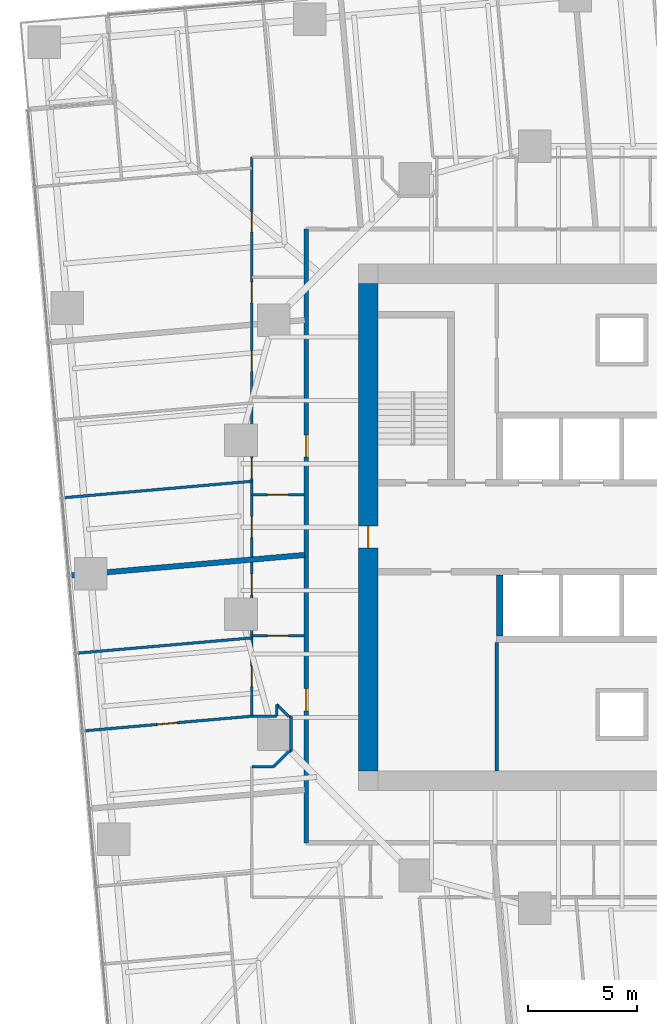
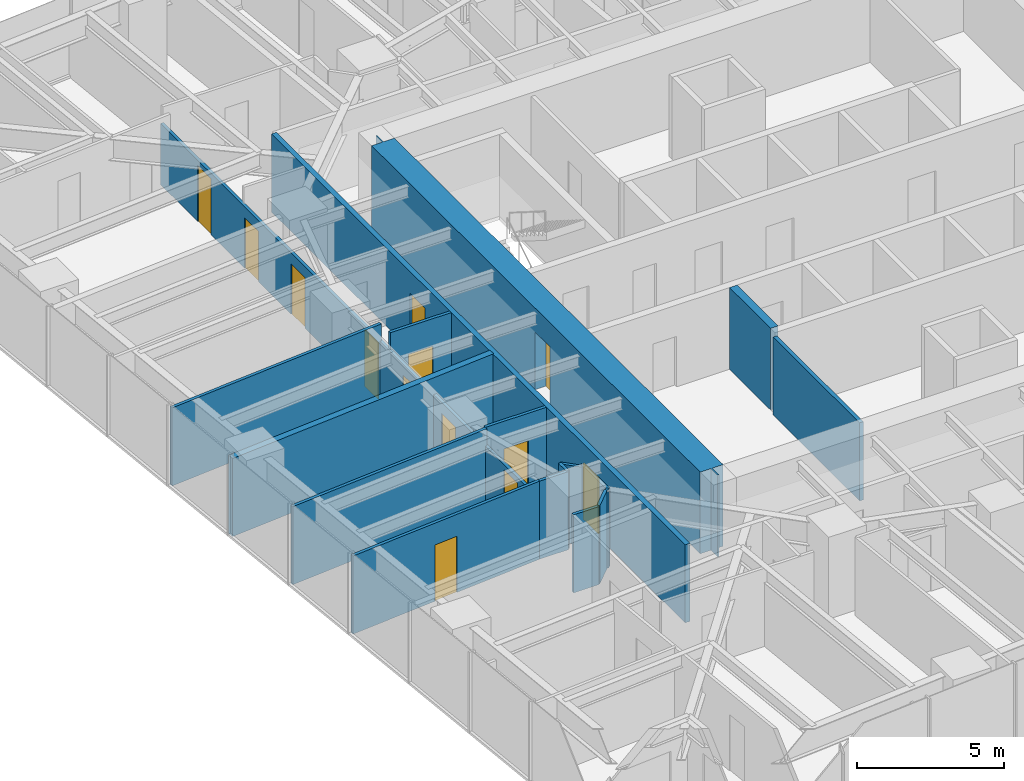
# One storey, part 9 of 14: 19 walls, 13 doors, 13 openings.
"""IFC4 building model written with IfcOpenShell, lengths in metres."""

from ifc_helpers import new_model, si_unit, direction, frame, frame_2d, origin, place, context, subcontext, project, spatial, polyline, rectangle, outline, extrude, material, layer, layer_set, type_object, element, fill, save


model = new_model("IFC4")

# Units and contexts
model_context = context("Model", 3, precision=1e-05, world=origin(), true_north=direction((0.0, 1.0)))
body_context = subcontext(model_context, "Body", "Model", "MODEL_VIEW")
ifc_project = project(units=[si_unit("LENGTHUNIT", "METRE"), si_unit("AREAUNIT", "SQUARE_METRE"), si_unit("VOLUMEUNIT", "CUBIC_METRE"), si_unit("PLANEANGLEUNIT", "RADIAN"), si_unit("MASSUNIT", "GRAM", prefix="KILO")], contexts=[model_context])

# Site, building, storey
site_placement = place(None, origin())
site = spatial("IfcSite", under=ifc_project, at=site_placement, CompositionType="ELEMENT")
building_placement = place(site_placement, origin())
building = spatial("IfcBuilding", under=site, at=building_placement, Name="Torsade Residences", CompositionType="ELEMENT")
storey_placement = place(building_placement, frame((0.0, 0.0, 47.199951171875)))
storey = spatial("IfcBuildingStorey", under=building, at=storey_placement, Name="L12", CompositionType="ELEMENT", Elevation=47.199951171875)

# Wall
ifc_material_1 = material(Name="Concrete 80 MPa", Category="concrete")
ifc_layer_1 = layer(ifc_material_1, 0.300048828125)
ifc_layer_set_1 = layer_set([ifc_layer_1], Name="Concrete 80 MPa")
wall_type_1 = type_object("IfcWallType", Name="CORE INTERNAL WALL 300", PredefinedType="SHEAR", material=ifc_layer_set_1)
wall_1_placement = place(storey_placement, frame((34.39990234375, 27.800048828125, 0.0), z_axis=(0.0, 0.0, 1.0), x_axis=(0.0, -1.0, 0.0)))
element("IfcWall", 1, at=wall_1_placement, inside=storey, type_object=wall_type_1, Name="Core wall DS4 L12", PredefinedType="SHEAR", context=body_context, shape_type="SweptSolid", body=[
    extrude(rectangle(XDim=2.800048828125, YDim=0.300048828125, at=frame_2d((1.39990234375, 0.0))), origin(), (0.0, 0.0, 1.0), 3.400146484375),
])

# Wall, opening, door
ifc_material_2 = material(Name="Concrete 80 MPa", Category="concrete")
ifc_layer_2 = layer(ifc_material_2, 0.89990234375)
ifc_layer_set_2 = layer_set([ifc_layer_2], Name="Concrete 80 MPa")
wall_type_2 = type_object("IfcWallType", Name="CORE WALL 900", PredefinedType="SHEAR", material=ifc_layer_set_2)
wall_2_placement = place(storey_placement, frame((28.35009765625, 41.199951171875, 0.0), z_axis=(0.0, 0.0, 1.0), x_axis=(0.0, -1.0, 0.0)))
wall_2 = element("IfcWall", 2, at=wall_2_placement, inside=storey, type_object=wall_type_2, Name="Core wall W L12", PredefinedType="SHEAR", context=body_context, shape_type="SweptSolid", body=[
    extrude(outline(polyline([(0.0, -0.449951171875), (22.39990234375, -0.449951171875), (22.39990234375, -0.02490234375), (22.849853515625, -0.02490234375), (22.849853515625, 0.02490234375), (22.39990234375, 0.02490234375), (22.39990234375, 0.449951171875), (0.0, 0.449951171875), (0.0, 0.02490234375), (-0.449951171875, 0.02490234375), (-0.449951171875, -0.02490234375), (0.0, -0.02490234375), (0.0, -0.449951171875)])), origin(), (0.0, 0.0, 1.0), 3.400146484375),
])
opening_1_placement = place(wall_2_placement, frame((11.139892578125, 0.0, 0.0)))
opening_1 = element("IfcOpeningElement", 3, at=opening_1_placement, cuts=wall_2, Name="Opening D04", PredefinedType="OPENING", context=body_context, shape_type="SweptSolid", body=[
    extrude(rectangle(XDim=1.02001953125, YDim=2.39990234375, at=frame_2d((0.510009765625, 1.199951171875))), frame((0.0, 0.4599609375, 0.0), z_axis=(0.0, -1.0, 0.0), x_axis=(1.0, 0.0, 0.0)), (0.0, 0.0, 1.0), 0.919921875),
])
ifc_material_3 = material(Name="Steel-framed fire door", Category="steel")
door_type_1 = type_object("IfcDoorType", Name="LOBBY SMOKE DOOR 1020x2400", OperationType="NOTDEFINED", PredefinedType="DOOR", material=ifc_material_3)
door_1_placement = place(opening_1_placement, origin())
door_1 = element("IfcDoor", 4, at=door_1_placement, inside=storey, type_object=door_type_1, Name="Lift lobby door W L12", OperationType="SINGLE_SWING_RIGHT", OverallHeight=2.39990234375, OverallWidth=1.02001953125, PredefinedType="DOOR", context=body_context, shape_type="SweptSolid", body=[
    extrude(rectangle(XDim=1.02001953125, YDim=2.39990234375, at=frame_2d((0.510009765625, 1.199951171875))), frame((0.0, 0.02490234375, 0.0), z_axis=(0.0, -1.0, 0.0), x_axis=(1.0, 0.0, 0.0)), (0.0, 0.0, 1.0), 0.050048828125),
])
fill(opening_1, door_1)

# Wall, openings, doors
ifc_material_4 = material(Name="Plasterboard on steel stud", Category="steel")
ifc_layer_3 = layer(ifc_material_4, 0.199951171875)
ifc_layer_set_3 = layer_set([ifc_layer_3], Name="Plasterboard on steel stud")
wall_type_3 = type_object("IfcWallType", Name="CORRIDOR WALL 200", PredefinedType="PARTITIONING", material=ifc_layer_set_3)
wall_3_placement = place(storey_placement, frame((25.5, 43.699951171875, 0.0), z_axis=(0.0, 0.0, 1.0), x_axis=(0.0, -1.0, 0.0)))
wall_3 = element("IfcWall", 5, at=wall_3_placement, inside=storey, type_object=wall_type_3, Name="Corridor wall L12", PredefinedType="PARTITIONING", context=body_context, shape_type="SweptSolid", body=[
    extrude(rectangle(XDim=28.199951171875, YDim=0.199951171875, at=frame_2d((14.10009765625, 0.0))), origin(), (0.0, 0.0, 1.0), 3.25),
])
opening_2_placement = place(wall_3_placement, frame((21.113037109375, 0.0, 0.0)))
opening_2 = element("IfcOpeningElement", 6, at=opening_2_placement, cuts=wall_3, Name="Opening D01", PredefinedType="OPENING", context=body_context, shape_type="SweptSolid", body=[
    extrude(rectangle(XDim=1.02001953125, YDim=2.340087890625, at=frame_2d((0.510009765625, 1.169921875))), frame((0.0, 0.10986328125, 0.0), z_axis=(0.0, -1.0, 0.0), x_axis=(1.0, 0.0, 0.0)), (0.0, 0.0, 1.0), 0.219970703125),
])
opening_3_placement = place(wall_3_placement, frame((9.45703125, 0.0, 0.0)))
opening_3 = element("IfcOpeningElement", 7, at=opening_3_placement, cuts=wall_3, Name="Opening D01", PredefinedType="OPENING", context=body_context, shape_type="SweptSolid", body=[
    extrude(rectangle(XDim=1.02001953125, YDim=2.340087890625, at=frame_2d((0.510009765625, 1.169921875))), frame((0.0, 0.10986328125, 0.0), z_axis=(0.0, -1.0, 0.0), x_axis=(1.0, 0.0, 0.0)), (0.0, 0.0, 1.0), 0.219970703125),
])
ifc_material_5 = material(Name="Solid-core timber fire door", Category="wood")
door_type_2 = type_object("IfcDoorType", Name="APARTMENT ENTRY DOOR 1020x2340", OperationType="NOTDEFINED", PredefinedType="DOOR", material=ifc_material_5)
door_2_placement = place(opening_2_placement, origin())
door_2 = element("IfcDoor", 8, at=door_2_placement, inside=storey, type_object=door_type_2, Name="Door Residential corridor to Kitchen and dining", OperationType="SINGLE_SWING_LEFT", OverallHeight=2.340087890625, OverallWidth=1.02001953125, PredefinedType="DOOR", context=body_context, shape_type="SweptSolid", body=[
    extrude(rectangle(XDim=1.02001953125, YDim=2.340087890625, at=frame_2d((0.510009765625, 1.169921875))), frame((0.0, 0.02490234375, 0.0), z_axis=(0.0, -1.0, 0.0), x_axis=(1.0, 0.0, 0.0)), (0.0, 0.0, 1.0), 0.050048828125),
])
fill(opening_2, door_2)
door_3_placement = place(opening_3_placement, origin())
door_3 = element("IfcDoor", 9, at=door_3_placement, inside=storey, type_object=door_type_2, Name="Door Residential corridor to Kitchen and dining", OperationType="SINGLE_SWING_RIGHT", OverallHeight=2.340087890625, OverallWidth=1.02001953125, PredefinedType="DOOR", context=body_context, shape_type="SweptSolid", body=[
    extrude(rectangle(XDim=1.02001953125, YDim=2.340087890625, at=frame_2d((0.510009765625, 1.169921875))), frame((0.0, 0.02490234375, 0.0), z_axis=(0.0, -1.0, 0.0), x_axis=(1.0, 0.0, 0.0)), (0.0, 0.0, 1.0), 0.050048828125),
])
fill(opening_3, door_3)

# Wall, opening, door
ifc_material_6 = material(Name="Plasterboard on steel stud", Category="steel")
ifc_layer_4 = layer(ifc_material_6, 0.1201171875)
ifc_layer_set_4 = layer_set([ifc_layer_4], Name="Plasterboard on steel stud")
wall_type_4 = type_object("IfcWallType", Name="PARTITION 120", PredefinedType="PARTITIONING", material=ifc_layer_set_4)
wall_4_placement = place(storey_placement, frame((23.0, 25.005859375, 0.0), z_axis=(0.0, 0.0, 1.0), x_axis=(1.0, 0.0, 0.0)))
wall_4 = element("IfcWall", 10, at=wall_4_placement, inside=storey, type_object=wall_type_4, Name="Partition L12", PredefinedType="PARTITIONING", context=body_context, shape_type="SweptSolid", body=[
    extrude(rectangle(XDim=2.39990234375, YDim=0.1201171875, at=frame_2d((1.199951171875, 0.0))), origin(), (0.0, 0.0, 1.0), 3.25),
])
opening_4_placement = place(wall_4_placement, frame((0.719970703125, 0.0, 0.0)))
opening_4 = element("IfcOpeningElement", 11, at=opening_4_placement, cuts=wall_4, Name="Opening D05", PredefinedType="OPENING", context=body_context, shape_type="SweptSolid", body=[
    extrude(rectangle(XDim=0.9599609375, YDim=2.10009765625, at=frame_2d((0.47998046875, 1.050048828125))), frame((0.0, 0.070068359375, 0.0), z_axis=(0.0, -1.0, 0.0), x_axis=(1.0, 0.0, 0.0)), (0.0, 0.0, 1.0), 0.14013671875),
])
ifc_material_7 = material(Name="Hollow-core timber door in a steel cavity frame", Category="steel")
door_type_3 = type_object("IfcDoorType", Name="BATHROOM CAVITY SLIDING DOOR 960", OperationType="SLIDING_TO_LEFT", PredefinedType="DOOR", material=ifc_material_7)
door_4_placement = place(opening_4_placement, origin())
door_4 = element("IfcDoor", 12, at=door_4_placement, inside=storey, type_object=door_type_3, Name="Door Kitchen and dining to Bathroom", OperationType="SLIDING_TO_LEFT", OverallHeight=2.10009765625, OverallWidth=0.9599609375, PredefinedType="DOOR", context=body_context, shape_type="SweptSolid", body=[
    extrude(rectangle(XDim=0.9599609375, YDim=2.10009765625, at=frame_2d((0.47998046875, 1.050048828125))), frame((0.0, 0.02490234375, 0.0), z_axis=(0.0, -1.0, 0.0), x_axis=(1.0, 0.0, 0.0)), (0.0, 0.0, 1.0), 0.050048828125),
])
fill(opening_4, door_4)

# Wall, openings, doors
wall_5_placement = place(storey_placement, frame((23.0, 21.318603515625, 0.0), z_axis=(0.0, 0.0, 1.0), x_axis=(0.0, 1.0, 0.0)))
wall_5 = element("IfcWall", 13, at=wall_5_placement, inside=storey, type_object=wall_type_4, Name="Partition L12", PredefinedType="PARTITIONING", context=body_context, shape_type="SweptSolid", body=[
    extrude(rectangle(XDim=25.681396484375, YDim=0.1201171875, at=frame_2d((12.8408203125, 0.0))), origin(), (0.0, 0.0, 1.0), 2.550048828125),
])
opening_5_placement = place(wall_5_placement, frame((1.36376953125, 0.0, 0.0)))
opening_5 = element("IfcOpeningElement", 14, at=opening_5_placement, cuts=wall_5, Name="Opening D02", PredefinedType="OPENING", context=body_context, shape_type="SweptSolid", body=[
    extrude(rectangle(XDim=0.919921875, YDim=2.340087890625, at=frame_2d((0.4599609375, 1.169921875))), frame((0.0, 0.070068359375, 0.0), z_axis=(0.0, -1.0, 0.0), x_axis=(1.0, 0.0, 0.0)), (0.0, 0.0, 1.0), 0.14013671875),
])
opening_6_placement = place(wall_5_placement, frame((10.9296875, 0.0, 0.0)))
opening_6 = element("IfcOpeningElement", 15, at=opening_6_placement, cuts=wall_5, Name="Opening D02", PredefinedType="OPENING", context=body_context, shape_type="SweptSolid", body=[
    extrude(rectangle(XDim=0.919921875, YDim=2.340087890625, at=frame_2d((0.4599609375, 1.169921875))), frame((0.0, 0.070068359375, 0.0), z_axis=(0.0, -1.0, 0.0), x_axis=(1.0, 0.0, 0.0)), (0.0, 0.0, 1.0), 0.14013671875),
])
opening_7_placement = place(wall_5_placement, frame((22.23291015625, 0.0, 0.0)))
opening_7 = element("IfcOpeningElement", 16, at=opening_7_placement, cuts=wall_5, Name="Opening D02", PredefinedType="OPENING", context=body_context, shape_type="SweptSolid", body=[
    extrude(rectangle(XDim=0.919921875, YDim=2.340087890625, at=frame_2d((0.4599609375, 1.169921875))), frame((0.0, 0.070068359375, 0.0), z_axis=(0.0, -1.0, 0.0), x_axis=(1.0, 0.0, 0.0)), (0.0, 0.0, 1.0), 0.14013671875),
])
opening_8_placement = place(wall_5_placement, frame((18.99072265625, 0.0, 0.0)))
opening_8 = element("IfcOpeningElement", 17, at=opening_8_placement, cuts=wall_5, Name="Opening D05", PredefinedType="OPENING", context=body_context, shape_type="SweptSolid", body=[
    extrude(rectangle(XDim=0.9599609375, YDim=2.10009765625, at=frame_2d((0.47998046875, 1.050048828125))), frame((0.0, 0.070068359375, 0.0), z_axis=(0.0, -1.0, 0.0), x_axis=(1.0, 0.0, 0.0)), (0.0, 0.0, 1.0), 0.14013671875),
])
opening_9_placement = place(wall_5_placement, frame((5.560791015625, 0.0, 0.0)))
opening_9 = element("IfcOpeningElement", 18, at=opening_9_placement, cuts=wall_5, Name="Opening D05", PredefinedType="OPENING", context=body_context, shape_type="SweptSolid", body=[
    extrude(rectangle(XDim=0.9599609375, YDim=2.10009765625, at=frame_2d((0.47998046875, 1.050048828125))), frame((0.0, 0.070068359375, 0.0), z_axis=(0.0, -1.0, 0.0), x_axis=(1.0, 0.0, 0.0)), (0.0, 0.0, 1.0), 0.14013671875),
])
opening_10_placement = place(wall_5_placement, frame((15.836181640625, 0.0, 0.0)))
opening_10 = element("IfcOpeningElement", 19, at=opening_10_placement, cuts=wall_5, Name="Opening D05", PredefinedType="OPENING", context=body_context, shape_type="SweptSolid", body=[
    extrude(rectangle(XDim=0.9599609375, YDim=2.10009765625, at=frame_2d((0.47998046875, 1.050048828125))), frame((0.0, 0.070068359375, 0.0), z_axis=(0.0, -1.0, 0.0), x_axis=(1.0, 0.0, 0.0)), (0.0, 0.0, 1.0), 0.14013671875),
])
opening_11_placement = place(wall_5_placement, frame((8.207763671875, 0.0, 0.0)))
opening_11 = element("IfcOpeningElement", 20, at=opening_11_placement, cuts=wall_5, Name="Opening D05", PredefinedType="OPENING", context=body_context, shape_type="SweptSolid", body=[
    extrude(rectangle(XDim=0.9599609375, YDim=2.10009765625, at=frame_2d((0.47998046875, 1.050048828125))), frame((0.0, 0.070068359375, 0.0), z_axis=(0.0, -1.0, 0.0), x_axis=(1.0, 0.0, 0.0)), (0.0, 0.0, 1.0), 0.14013671875),
])
door_5_placement = place(opening_8_placement, origin())
door_5 = element("IfcDoor", 21, at=door_5_placement, inside=storey, type_object=door_type_3, Name="Door Living room to Bathroom", OperationType="SLIDING_TO_LEFT", OverallHeight=2.10009765625, OverallWidth=0.9599609375, PredefinedType="DOOR", context=body_context, shape_type="SweptSolid", body=[
    extrude(rectangle(XDim=0.9599609375, YDim=2.10009765625, at=frame_2d((0.47998046875, 1.050048828125))), frame((0.0, 0.02490234375, 0.0), z_axis=(0.0, -1.0, 0.0), x_axis=(1.0, 0.0, 0.0)), (0.0, 0.0, 1.0), 0.050048828125),
])
fill(opening_8, door_5)
door_6_placement = place(opening_9_placement, origin())
door_6 = element("IfcDoor", 22, at=door_6_placement, inside=storey, type_object=door_type_3, Name="Door Bathroom to Living room", OperationType="SLIDING_TO_LEFT", OverallHeight=2.10009765625, OverallWidth=0.9599609375, PredefinedType="DOOR", context=body_context, shape_type="SweptSolid", body=[
    extrude(rectangle(XDim=0.9599609375, YDim=2.10009765625, at=frame_2d((0.47998046875, 1.050048828125))), frame((0.0, 0.02490234375, 0.0), z_axis=(0.0, -1.0, 0.0), x_axis=(1.0, 0.0, 0.0)), (0.0, 0.0, 1.0), 0.050048828125),
])
fill(opening_9, door_6)
door_7_placement = place(opening_10_placement, origin())
door_7 = element("IfcDoor", 23, at=door_7_placement, inside=storey, type_object=door_type_3, Name="Door Bathroom to Living room", OperationType="SLIDING_TO_LEFT", OverallHeight=2.10009765625, OverallWidth=0.9599609375, PredefinedType="DOOR", context=body_context, shape_type="SweptSolid", body=[
    extrude(rectangle(XDim=0.9599609375, YDim=2.10009765625, at=frame_2d((0.47998046875, 1.050048828125))), frame((0.0, 0.02490234375, 0.0), z_axis=(0.0, -1.0, 0.0), x_axis=(1.0, 0.0, 0.0)), (0.0, 0.0, 1.0), 0.050048828125),
])
fill(opening_10, door_7)
door_8_placement = place(opening_11_placement, origin())
door_8 = element("IfcDoor", 24, at=door_8_placement, inside=storey, type_object=door_type_3, Name="Door Ensuite to Bedroom 2", OperationType="SLIDING_TO_LEFT", OverallHeight=2.10009765625, OverallWidth=0.9599609375, PredefinedType="DOOR", context=body_context, shape_type="SweptSolid", body=[
    extrude(rectangle(XDim=0.9599609375, YDim=2.10009765625, at=frame_2d((0.47998046875, 1.050048828125))), frame((0.0, 0.02490234375, 0.0), z_axis=(0.0, -1.0, 0.0), x_axis=(1.0, 0.0, 0.0)), (0.0, 0.0, 1.0), 0.050048828125),
])
fill(opening_11, door_8)
ifc_material_8 = material(Name="Hollow-core timber door", Category="wood")
door_type_4 = type_object("IfcDoorType", Name="INTERNAL DOOR 920x2340", OperationType="NOTDEFINED", PredefinedType="DOOR", material=ifc_material_8)
door_9_placement = place(opening_5_placement, origin())
door_9 = element("IfcDoor", 25, at=door_9_placement, inside=storey, type_object=door_type_4, Name="Door Kitchen and dining to Bedroom 1", OperationType="SINGLE_SWING_RIGHT", OverallHeight=2.340087890625, OverallWidth=0.919921875, PredefinedType="DOOR", context=body_context, shape_type="SweptSolid", body=[
    extrude(rectangle(XDim=0.919921875, YDim=2.340087890625, at=frame_2d((0.4599609375, 1.169921875))), frame((0.0, 0.02490234375, 0.0), z_axis=(0.0, -1.0, 0.0), x_axis=(1.0, 0.0, 0.0)), (0.0, 0.0, 1.0), 0.050048828125),
])
fill(opening_5, door_9)
door_10_placement = place(opening_6_placement, origin())
door_10 = element("IfcDoor", 26, at=door_10_placement, inside=storey, type_object=door_type_4, Name="Door Kitchen and dining to Bedroom 1", OperationType="SINGLE_SWING_RIGHT", OverallHeight=2.340087890625, OverallWidth=0.919921875, PredefinedType="DOOR", context=body_context, shape_type="SweptSolid", body=[
    extrude(rectangle(XDim=0.919921875, YDim=2.340087890625, at=frame_2d((0.4599609375, 1.169921875))), frame((0.0, 0.02490234375, 0.0), z_axis=(0.0, -1.0, 0.0), x_axis=(1.0, 0.0, 0.0)), (0.0, 0.0, 1.0), 0.050048828125),
])
fill(opening_6, door_10)
door_11_placement = place(opening_7_placement, origin())
door_11 = element("IfcDoor", 27, at=door_11_placement, inside=storey, type_object=door_type_4, Name="Door Kitchen and dining to Living room", OperationType="SINGLE_SWING_RIGHT", OverallHeight=2.340087890625, OverallWidth=0.919921875, PredefinedType="DOOR", context=body_context, shape_type="SweptSolid", body=[
    extrude(rectangle(XDim=0.919921875, YDim=2.340087890625, at=frame_2d((0.4599609375, 1.169921875))), frame((0.0, 0.02490234375, 0.0), z_axis=(0.0, -1.0, 0.0), x_axis=(1.0, 0.0, 0.0)), (0.0, 0.0, 1.0), 0.050048828125),
])
fill(opening_7, door_11)

# Walls
wall_6_placement = place(storey_placement, frame((23.0, 19.0, 0.0), z_axis=(0.0, 0.0, 1.0), x_axis=(1.0, 0.0, 0.0)))
element("IfcWall", 28, at=wall_6_placement, inside=storey, type_object=wall_type_4, Name="Partition L12", PredefinedType="PARTITIONING", context=body_context, shape_type="SweptSolid", body=[
    extrude(rectangle(XDim=1.0, YDim=0.1201171875, at=frame_2d((0.5, 0.0))), origin(), (0.0, 0.0, 1.0), 3.25),
])
wall_7_placement = place(storey_placement, frame((24.0, 19.0, 0.0), z_axis=(0.0, 0.0, 1.0), x_axis=(0.707106781187, 0.707106781187, 0.0)))
element("IfcWall", 29, at=wall_7_placement, inside=storey, type_object=wall_type_4, Name="Partition L12", PredefinedType="PARTITIONING", context=body_context, shape_type="SweptSolid", body=[
    extrude(rectangle(XDim=0.989990234375, YDim=0.1201171875, at=frame_2d((0.4951171875, 0.0))), origin(), (0.0, 0.0, 1.0), 3.25),
])
wall_8_placement = place(storey_placement, frame((24.800048828125, 19.699951171875, 0.0), z_axis=(0.0, 0.0, 1.0), x_axis=(0.0, 1.0, 0.0)))
element("IfcWall", 30, at=wall_8_placement, inside=storey, type_object=wall_type_4, Name="Partition L12", PredefinedType="PARTITIONING", context=body_context, shape_type="SweptSolid", body=[
    extrude(rectangle(XDim=1.60009765625, YDim=0.1201171875, at=frame_2d((0.800048828125, 0.0))), origin(), (0.0, 0.0, 1.0), 3.25),
])
wall_9_placement = place(storey_placement, frame((24.699951171875, 21.300048828125, 0.0), z_axis=(0.0, 0.0, 1.0), x_axis=(-0.707106781187, 0.707106781187, 0.0)))
element("IfcWall", 31, at=wall_9_placement, inside=storey, type_object=wall_type_4, Name="Partition L12", PredefinedType="PARTITIONING", context=body_context, shape_type="SweptSolid", body=[
    extrude(rectangle(XDim=0.7919921875, YDim=0.1201171875, at=frame_2d((0.39599609375, 0.0))), origin(), (0.0, 0.0, 1.0), 3.25),
])
wall_10_placement = place(storey_placement, frame((24.139892578125, 21.860107421875, 0.0), z_axis=(0.0, 0.0, 1.0), x_axis=(0.0, -1.0, 0.0)))
element("IfcWall", 32, at=wall_10_placement, inside=storey, type_object=wall_type_4, Name="Partition L12", PredefinedType="PARTITIONING", context=body_context, shape_type="SweptSolid", body=[
    extrude(rectangle(XDim=0.54150390625, YDim=0.1201171875, at=frame_2d((0.270751953125, 0.0))), origin(), (0.0, 0.0, 1.0), 3.25),
])
wall_11_placement = place(storey_placement, frame((24.139892578125, 21.318603515625, 0.0), z_axis=(0.0, 0.0, 1.0), x_axis=(-1.0, 0.0, 0.0)))
element("IfcWall", 33, at=wall_11_placement, inside=storey, type_object=wall_type_4, Name="Partition L12", PredefinedType="PARTITIONING", context=body_context, shape_type="SweptSolid", body=[
    extrude(rectangle(XDim=1.139892578125, YDim=0.1201171875, at=frame_2d((0.56982421875, 0.0))), origin(), (0.0, 0.0, 1.0), 3.25),
])
wall_12_placement = place(storey_placement, frame((23.0, 24.915771484375, 0.0), z_axis=(0.0, 0.0, 1.0), x_axis=(-0.99619214338, -0.087184938313, 0.0)))
element("IfcWall", 34, at=wall_12_placement, inside=storey, type_object=wall_type_4, Name="Partition L12", PredefinedType="PARTITIONING", context=body_context, shape_type="SweptSolid", body=[
    extrude(rectangle(XDim=8.08154296875, YDim=0.1201171875, at=frame_2d((4.040771484375, 0.0))), origin(), (0.0, 0.0, 1.0), 3.25),
])

# Wall, opening, door
wall_13_placement = place(storey_placement, frame((23.0, 21.318603515625, 0.0), z_axis=(0.0, 0.0, 1.0), x_axis=(-0.996195047824, -0.0871517452, 0.0)))
wall_13 = element("IfcWall", 35, at=wall_13_placement, inside=storey, type_object=wall_type_4, Name="Partition L12", PredefinedType="PARTITIONING", context=body_context, shape_type="SweptSolid", body=[
    extrude(rectangle(XDim=7.76806640625, YDim=0.1201171875, at=frame_2d((3.884033203125, 0.0))), origin(), (0.0, 0.0, 1.0), 3.25),
])
opening_12_placement = place(wall_13_placement, frame((3.444091796875, 0.0, 0.0)))
opening_12 = element("IfcOpeningElement", 36, at=opening_12_placement, cuts=wall_13, Name="Opening D02", PredefinedType="OPENING", context=body_context, shape_type="SweptSolid", body=[
    extrude(rectangle(XDim=0.919921875, YDim=2.340087890625, at=frame_2d((0.4599609375, 1.169921875))), frame((0.0, 0.070068359375, 0.0), z_axis=(0.0, -1.0, 0.0), x_axis=(1.0, 0.0, 0.0)), (0.0, 0.0, 1.0), 0.14013671875),
])
door_12_placement = place(opening_12_placement, origin())
door_12 = element("IfcDoor", 37, at=door_12_placement, inside=storey, type_object=door_type_4, Name="Door Bedroom 1 to Bedroom 2", OperationType="SINGLE_SWING_LEFT", OverallHeight=2.340087890625, OverallWidth=0.919921875, PredefinedType="DOOR", context=body_context, shape_type="SweptSolid", body=[
    extrude(rectangle(XDim=0.919921875, YDim=2.340087890625, at=frame_2d((0.4599609375, 1.169921875))), frame((0.0, 0.02490234375, 0.0), z_axis=(0.0, -1.0, 0.0), x_axis=(1.0, 0.0, 0.0)), (0.0, 0.0, 1.0), 0.050048828125),
])
fill(opening_12, door_12)

wall_14_placement = place(storey_placement, frame((25.39990234375, 31.499755859375, 0.0), z_axis=(0.0, 0.0, 1.0), x_axis=(-1.0, 0.0, 0.0)))
wall_14 = element("IfcWall", 38, at=wall_14_placement, inside=storey, type_object=wall_type_4, Name="Partition L12", PredefinedType="PARTITIONING", context=body_context, shape_type="SweptSolid", body=[
    extrude(rectangle(XDim=2.39990234375, YDim=0.1201171875, at=frame_2d((1.199951171875, 0.0))), origin(), (0.0, 0.0, 1.0), 3.25),
])
opening_13_placement = place(wall_14_placement, frame((0.719970703125, 0.0, 0.0)))
opening_13 = element("IfcOpeningElement", 39, at=opening_13_placement, cuts=wall_14, Name="Opening D05", PredefinedType="OPENING", context=body_context, shape_type="SweptSolid", body=[
    extrude(rectangle(XDim=0.9599609375, YDim=2.10009765625, at=frame_2d((0.47998046875, 1.050048828125))), frame((0.0, 0.070068359375, 0.0), z_axis=(0.0, -1.0, 0.0), x_axis=(1.0, 0.0, 0.0)), (0.0, 0.0, 1.0), 0.14013671875),
])
door_13_placement = place(opening_13_placement, origin())
door_13 = element("IfcDoor", 40, at=door_13_placement, inside=storey, type_object=door_type_3, Name="Door Kitchen and dining to Ensuite", OperationType="SLIDING_TO_LEFT", OverallHeight=2.10009765625, OverallWidth=0.9599609375, PredefinedType="DOOR", context=body_context, shape_type="SweptSolid", body=[
    extrude(rectangle(XDim=0.9599609375, YDim=2.10009765625, at=frame_2d((0.47998046875, 1.050048828125))), frame((0.0, 0.02490234375, 0.0), z_axis=(0.0, -1.0, 0.0), x_axis=(1.0, 0.0, 0.0)), (0.0, 0.0, 1.0), 0.050048828125),
])
fill(opening_13, door_13)

# Walls
wall_15_placement = place(storey_placement, frame((23.0, 32.109619140625, 0.0), z_axis=(0.0, 0.0, 1.0), x_axis=(-0.996194478193, -0.087158256162, 0.0)))
element("IfcWall", 41, at=wall_15_placement, inside=storey, type_object=wall_type_4, Name="Partition L12", PredefinedType="PARTITIONING", context=body_context, shape_type="SweptSolid", body=[
    extrude(rectangle(XDim=8.708740234375, YDim=0.1201171875, at=frame_2d((4.3544921875, 0.0))), origin(), (0.0, 0.0, 1.0), 3.25),
])
for number, where, z_axis, x_axis, name in (
    (42, (24.800048828125, 19.699951171875, 0.0), (0.0, 0.0, 1.0), (-1.0, 0.0, 0.0), "Partition L12"),
    (43, (24.800048828125, 21.300048828125, 0.0), (0.0, 0.0, 1.0), (-1.0, 0.0, 0.0), "Partition L12"),
):
    element("IfcWall", number, at=place(storey_placement, frame(where, z_axis=z_axis, x_axis=x_axis)), inside=storey, type_object=wall_type_4, Name=name, PredefinedType="PARTITIONING", context=body_context, shape_type="SweptSolid", body=[
        extrude(rectangle(XDim=0.10009765625, YDim=0.1201171875, at=frame_2d((0.050048828125, 0.0))), origin(), (0.0, 0.0, 1.0), 3.25),
    ])
ifc_material_9 = material(Name="Masonry-lined stud party wall", Category="masonry")
ifc_layer_5 = layer(ifc_material_9, 0.25)
ifc_layer_set_5 = layer_set([ifc_layer_5], Name="Masonry-lined stud party wall")
wall_type_5 = type_object("IfcWallType", Name="PARTY WALL 250", PredefinedType="PARTITIONING", material=ifc_layer_set_5)
wall_16_placement = place(storey_placement, frame((14.596923828125, 27.777587890625, 0.0), z_axis=(0.0, 0.0, 1.0), x_axis=(0.996196056792, 0.087140211333, 0.0)))
element("IfcWall", 44, at=wall_16_placement, inside=storey, type_object=wall_type_5, Name="Party wall L12", PredefinedType="PARTITIONING", context=body_context, shape_type="SweptSolid", body=[
    extrude(rectangle(XDim=10.873291015625, YDim=0.25, at=frame_2d((5.4365234375, 0.0))), origin(), (0.0, 0.0, 1.0), 3.25),
])
ifc_material_10 = material(Name="Reinforced blockwork", Category="masonry")
ifc_layer_6 = layer(ifc_material_10, 0.14990234375)
ifc_layer_set_6 = layer_set([ifc_layer_6], Name="Reinforced blockwork")
wall_type_6 = type_object("IfcWallType", Name="SERVICE ROOM WALL 150", PredefinedType="SOLIDWALL", material=ifc_layer_set_6)
wall_17_placement = place(storey_placement, frame((34.25, 18.800048828125, 0.0), z_axis=(0.0, 0.0, 1.0), x_axis=(0.0, 1.0, 0.0)))
element("IfcWall", 45, at=wall_17_placement, inside=storey, type_object=wall_type_6, Name="Service room wall L12", PredefinedType="SOLIDWALL", context=body_context, shape_type="SweptSolid", body=[
    extrude(rectangle(XDim=5.89990234375, YDim=0.14990234375, at=frame_2d((2.949951171875, 0.0))), origin(), (0.0, 0.0, 1.0), 3.25),
])

save(model, "model.ifc")
